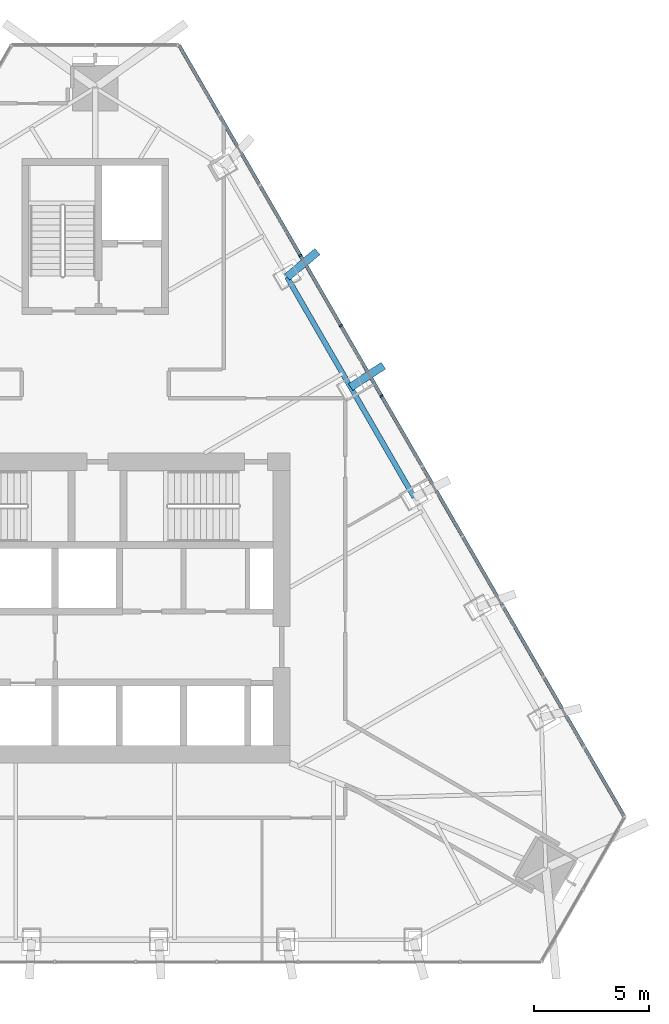
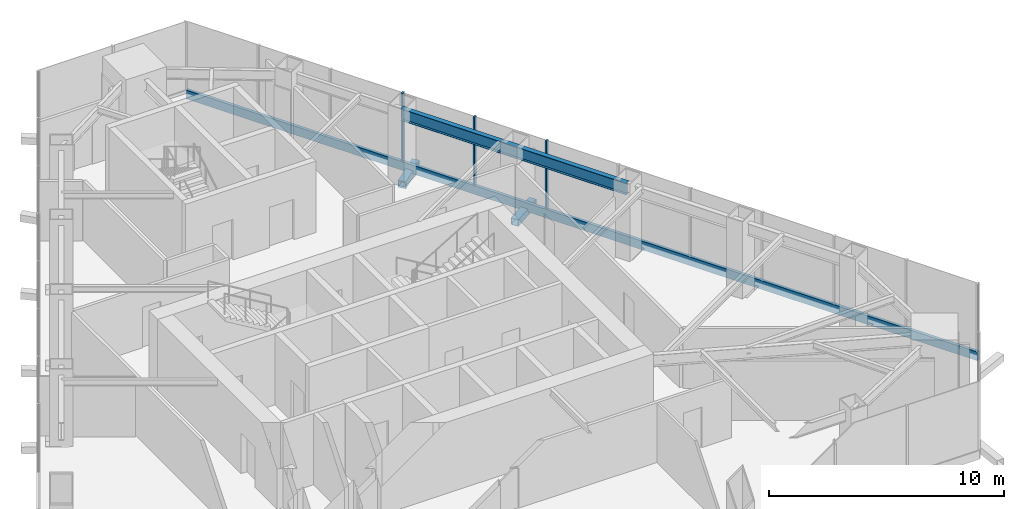
# One storey, part 8 of 14: 6 members, 1 beam, 1 element without a shape of its own.
"""IFC4 building model written with IfcOpenShell, lengths in metres."""

from ifc_helpers import new_model, si_unit, direction, frame, origin, origin_2d, place, context, subcontext, project, spatial, rectangle, hollow_rectangle, i_section, extrude, material, layer, layer_set, material_profile, profile_set, type_object, element, aggregate, save


model = new_model("IFC4")

# Units and contexts
model_context = context("Model", 3, precision=1e-05, world=origin(), true_north=direction((0.0, 1.0)))
body_context = subcontext(model_context, "Body", "Model", "MODEL_VIEW")
ifc_project = project(units=[si_unit("LENGTHUNIT", "METRE"), si_unit("AREAUNIT", "SQUARE_METRE"), si_unit("VOLUMEUNIT", "CUBIC_METRE"), si_unit("PLANEANGLEUNIT", "RADIAN"), si_unit("MASSUNIT", "GRAM", prefix="KILO")], contexts=[model_context])

# Site, building, storey
site_placement = place(None, origin())
site = spatial("IfcSite", under=ifc_project, at=site_placement, CompositionType="ELEMENT")
building_placement = place(site_placement, origin())
building = spatial("IfcBuilding", under=site, at=building_placement, Name="Firuza Gate Tower and Library", CompositionType="ELEMENT")
storey_placement = place(building_placement, frame((0.0, 0.0, 331.60009765625)))
storey = spatial("IfcBuildingStorey", under=building, at=storey_placement, Name="L81", CompositionType="ELEMENT", Elevation=331.60009765625)

# Curtain wall, members
ifc_material_1 = material(Name="Aluminium 6063-T6", Category="aluminium")
ifc_layer = layer(ifc_material_1, 0.14990234375)
ifc_layer_set = layer_set([ifc_layer], Name="Ceramic screen wall, crown plant")
curtain_wall_type = type_object("IfcCurtainWallType", Name="Ceramic screen wall, crown plant", PredefinedType="NOTDEFINED", material=ifc_layer_set)
curtain_wall_placement = place(storey_placement, origin())
curtain_wall = element("IfcCurtainWall", 1, at=curtain_wall_placement, inside=storey, type_object=curtain_wall_type, Name="CW6 L81 E", PredefinedType="NOTDEFINED")
ifc_material_2 = material(Name="Aluminium 6063-T6", Category="aluminium")
ifc_material_profile_1 = material_profile(ifc_material_2, rectangle(XDim=0.14990234375, YDim=0.080078125, at=origin_2d()))
ifc_profile_set_1 = profile_set([ifc_material_profile_1], Name="Aluminium 6063-T6")
member_type_1 = type_object("IfcMemberType", Name="Curtain wall mullion 80x150", PredefinedType="MULLION", material=ifc_profile_set_1)
member_1_placement = place(storey_placement, frame((87.481201171875, 84.2470703125, 0.14990234375), z_axis=(0.0, 0.0, 1.0), x_axis=(-0.866025403784, -0.5, 0.0)))
member_1 = element("IfcMember", 2, at=member_1_placement, type_object=member_type_1, Name="Mullion", PredefinedType="MULLION", context=body_context, shape_type="SweptSolid", body=[
    extrude(rectangle(XDim=0.14990234375, YDim=0.080078125, at=origin_2d()), origin(), (0.0, 0.0, 1.0), 3.550048828125),
])
member_2_placement = place(storey_placement, frame((85.713623046875, 87.30859375, 0.14990234375), z_axis=(0.0, 0.0, 1.0), x_axis=(-0.866025403784, -0.5, 0.0)))
member_2 = element("IfcMember", 3, at=member_2_placement, type_object=member_type_1, Name="Mullion", PredefinedType="MULLION", context=body_context, shape_type="SweptSolid", body=[
    extrude(rectangle(XDim=0.14990234375, YDim=0.080078125, at=origin_2d()), origin(), (0.0, 0.0, 1.0), 3.550048828125),
])
member_3_placement = place(storey_placement, frame((83.946044921875, 90.3701171875, 0.14990234375), z_axis=(0.0, 0.0, 1.0), x_axis=(-0.866025403784, -0.5, 0.0)))
member_3 = element("IfcMember", 4, at=member_3_placement, type_object=member_type_1, Name="Mullion", PredefinedType="MULLION", context=body_context, shape_type="SweptSolid", body=[
    extrude(rectangle(XDim=0.14990234375, YDim=0.080078125, at=origin_2d()), origin(), (0.0, 0.0, 1.0), 3.550048828125),
])
ifc_material_3 = material(Name="Aluminium 6063-T6", Category="aluminium")
ifc_material_profile_2 = material_profile(ifc_material_3, rectangle(XDim=0.14990234375, YDim=0.449951171875, at=origin_2d()))
ifc_profile_set_2 = profile_set([ifc_material_profile_2], Name="Aluminium 6063-T6")
member_type_2 = type_object("IfcMemberType", Name="Curtain wall transom 450x150", PredefinedType="USERDEFINED", material=ifc_profile_set_2)
member_4_placement = place(storey_placement, frame((98.086669921875, 65.8779296875, -0.0751953125), z_axis=(-0.500001430823, 0.866024577697, 0.0), x_axis=(-0.866024577697, -0.500001430823, 0.0)))
member_4 = element("IfcMember", 5, at=member_4_placement, type_object=member_type_2, Name="Transom", ObjectType="TRANSOM", PredefinedType="USERDEFINED", context=body_context, shape_type="SweptSolid", body=[
    extrude(rectangle(XDim=0.14990234375, YDim=0.449951171875, at=origin_2d()), origin(), (0.0, 0.0, 1.0), 38.88671875),
])
aggregate(curtain_wall, [member_1, member_2, member_3, member_4])

# Members
ifc_material_4 = material(Name="Steel S355", Category="steel")
ifc_material_profile_3 = material_profile(ifc_material_4, hollow_rectangle(XDim=0.355712890625, YDim=0.355712890625, WallThickness=0.014892578125, at=origin_2d()))
ifc_profile_set_3 = profile_set([ifc_material_profile_3], Name="Steel S355")
member_type_3 = type_object("IfcMemberType", Name="HSS356x356x16 Lattice node tie", PredefinedType="BRACE", material=ifc_profile_set_3)
member_5_placement = place(storey_placement, frame((83.363525390625, 89.42919921875, -0.320068359375), z_axis=(0.765732618978, 0.643159044275, 0.0), x_axis=(-0.643159044275, 0.765732618978, 0.0)))
element("IfcMember", 6, at=member_5_placement, inside=storey, type_object=member_type_3, Name="Lattice node tie E L81 603", PredefinedType="BRACE", context=body_context, shape_type="SweptSolid", body=[
    extrude(hollow_rectangle(XDim=0.355712890625, YDim=0.355712890625, WallThickness=0.014892578125, at=origin_2d()), origin(), (0.0, 0.0, 1.0), 1.73291015625),
])
member_6_placement = place(storey_placement, frame((86.134765625, 84.62890625, -0.320068359375), z_axis=(0.835178864711, 0.549978421341, 0.0), x_axis=(-0.549978421341, 0.835178864711, 0.0)))
element("IfcMember", 7, at=member_6_placement, inside=storey, type_object=member_type_3, Name="Lattice node tie E L81 604", PredefinedType="BRACE", context=body_context, shape_type="SweptSolid", body=[
    extrude(hollow_rectangle(XDim=0.355712890625, YDim=0.355712890625, WallThickness=0.014892578125, at=origin_2d()), origin(), (0.0, 0.0, 1.0), 1.70947265625),
])

# Beam
ifc_material_5 = material(Name="Steel S355", Category="steel")
ifc_material_profile_4 = material_profile(ifc_material_5, i_section(OverallWidth=0.22900390625, OverallDepth=0.612060546875, WebThickness=0.011962890625, FlangeThickness=0.01953125, at=origin_2d()))
ifc_profile_set_4 = profile_set([ifc_material_profile_4], Name="Steel S355")
beam_type = type_object("IfcBeamType", Name="W610x125 Edge beam", PredefinedType="SPANDREL", material=ifc_profile_set_4)
beam_placement = place(storey_placement, frame((88.90625, 79.82861328125, 3.393798828125), z_axis=(-0.499988074738, 0.866032288728, 0.0), x_axis=(-0.866032288728, -0.499988074738, 0.0)))
element("IfcBeam", 8, at=beam_placement, inside=storey, type_object=beam_type, Name="Edge beam L81 e52", PredefinedType="SPANDREL", context=body_context, shape_type="SweptSolid", body=[
    extrude(i_section(OverallWidth=0.22900390625, OverallDepth=0.612060546875, WebThickness=0.011962890625, FlangeThickness=0.01953125, at=origin_2d()), origin(), (0.0, 0.0, 1.0), 11.085693359375),
])

save(model, "model.ifc")
